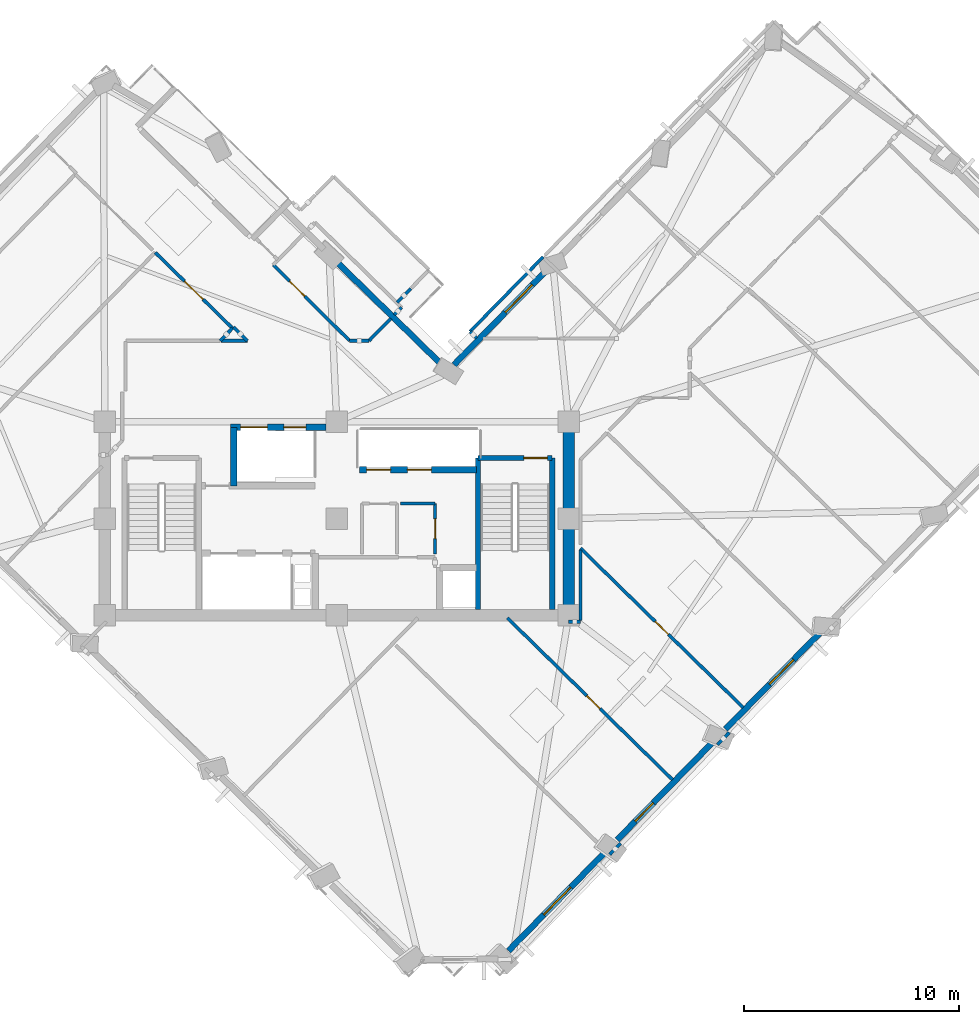
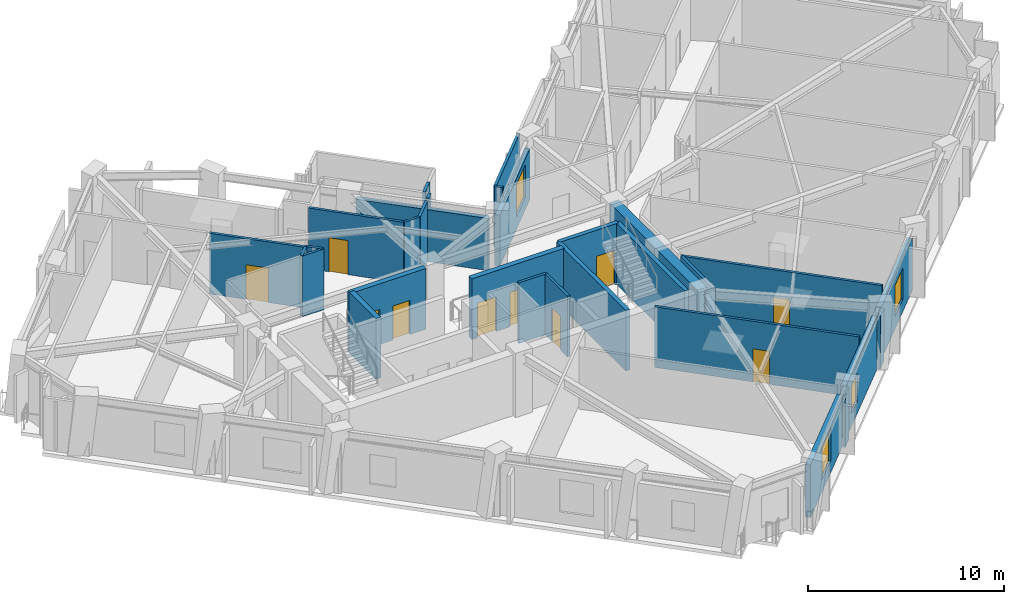
# One storey, part 5 of 12: 31 walls, 10 doors, 4 windows, 14 openings.
"""IFC4 building model written with IfcOpenShell, lengths in metres."""

from ifc_helpers import new_model, si_unit, direction, frame, frame_2d, origin, place, context, subcontext, project, spatial, rectangle, extrude, material, layer, layer_set, type_object, element, fill, save


model = new_model("IFC4")

# Units and contexts
model_context = context("Model", 3, precision=1e-05, world=origin(), true_north=direction((0.0, 1.0)))
body_context = subcontext(model_context, "Body", "Model", "MODEL_VIEW")
ifc_project = project(units=[si_unit("LENGTHUNIT", "METRE"), si_unit("AREAUNIT", "SQUARE_METRE"), si_unit("VOLUMEUNIT", "CUBIC_METRE"), si_unit("PLANEANGLEUNIT", "RADIAN"), si_unit("MASSUNIT", "GRAM", prefix="KILO")], contexts=[model_context])

# Site, building, storey
site_placement = place(None, origin())
site = spatial("IfcSite", under=ifc_project, at=site_placement, CompositionType="ELEMENT")
building_placement = place(site_placement, origin())
building = spatial("IfcBuilding", under=site, at=building_placement, Name="Gaonmaruhae Medical Tower", CompositionType="ELEMENT")
storey_placement = place(building_placement, frame((0.0, 0.0, 219.199951171875)))
storey = spatial("IfcBuildingStorey", under=building, at=storey_placement, Name="L52", CompositionType="ELEMENT", Elevation=219.199951171875)

# Wall
ifc_material_1 = material(Name="Concrete C50/60", Category="concrete")
ifc_layer_1 = layer(ifc_material_1, 0.550048828125)
ifc_layer_set_1 = layer_set([ifc_layer_1], Name="Concrete C50/60")
wall_type_1 = type_object("IfcWallType", Name="CW-550 Mid-High Core Shear Wall", PredefinedType="SHEAR", material=ifc_layer_set_1)
wall_1_placement = place(storey_placement, frame((35.60009765625, 7.800048828125, 0.0), z_axis=(0.0, 0.0, 1.0), x_axis=(0.0, 1.0, 0.0)))
element("IfcWall", 1, at=wall_1_placement, inside=storey, type_object=wall_type_1, Name="L52 Core Shear Wall CSW-E1", PredefinedType="SHEAR", context=body_context, shape_type="SweptSolid", body=[
    extrude(rectangle(XDim=9.0, YDim=0.550048828125, at=frame_2d((4.5, 0.0))), origin(), (0.0, 0.0, 1.0), 3.780029296875),
])

# Wall, opening, window
ifc_material_2 = material(Name="Precast concrete C45/55", Category="concrete")
ifc_layer_2 = layer(ifc_material_2, 0.280029296875)
ifc_layer_set_2 = layer_set([ifc_layer_2], Name="Precast concrete C45/55")
wall_type_2 = type_object("IfcWallType", Name="EW-280 Upper Precast Masonry-Frame Facade Wall", PredefinedType="SOLIDWALL", material=ifc_layer_set_2)
wall_2_placement = place(storey_placement, frame((37.33251953125, -3.189453125, 0.0), z_axis=(0.0, 0.0, 1.0), x_axis=(-0.699670040147, -0.714466118805, 0.0)))
wall_2 = element("IfcWall", 2, at=wall_2_placement, inside=storey, type_object=wall_type_2, Name="L52 Precast Masonry-Frame Wall S01-S02", PredefinedType="SOLIDWALL", context=body_context, shape_type="SweptSolid", body=[
    extrude(rectangle(XDim=6.484619140625, YDim=0.280029296875, at=frame_2d((3.2421875, 0.0))), origin(), (0.0, 0.0, 1.0), 3.26513671875),
])
opening_1_placement = place(wall_2_placement, frame((2.333984375, 0.0, 0.75)))
opening_1 = element("IfcOpeningElement", 3, at=opening_1_placement, cuts=wall_2, Name="Opening WN-04", PredefinedType="OPENING", context=body_context, shape_type="SweptSolid", body=[
    extrude(rectangle(XDim=1.800048828125, YDim=2.050048828125, at=frame_2d((0.89990234375, 1.02490234375))), frame((0.0, 0.14990234375, 0.0), z_axis=(0.0, -1.0, 0.0), x_axis=(1.0, 0.0, 0.0)), (0.0, 0.0, 1.0), 0.300048828125),
])
ifc_material_3 = material(Name="Anodised aluminium and Low-E double glazing", Category="aluminium")
window_type_1 = type_object("IfcWindowType", Name="WN-04 Clinic & Consult Punched Window 1800x2050", PartitioningType="SINGLE_PANEL", PredefinedType="WINDOW", material=ifc_material_3)
window_1_placement = place(opening_1_placement, origin())
window_1 = element("IfcWindow", 4, at=window_1_placement, inside=storey, type_object=window_type_1, Name="L52 Modular Facade Window S01", OverallHeight=2.050048828125, OverallWidth=1.800048828125, PartitioningType="SINGLE_PANEL", PredefinedType="WINDOW", context=body_context, shape_type="SweptSolid", body=[
    extrude(rectangle(XDim=1.800048828125, YDim=2.050048828125, at=frame_2d((0.89990234375, 1.02490234375))), frame((0.0, 0.030029296875, 0.0), z_axis=(0.0, -1.0, 0.0), x_axis=(1.0, 0.0, 0.0)), (0.0, 0.0, 1.0), 0.06005859375),
])
fill(opening_1, window_1)

wall_3_placement = place(storey_placement, frame((42.357666015625, 1.94189453125, 0.0), z_axis=(0.0, 0.0, 1.0), x_axis=(-0.699673993546, -0.714462247257, 0.0)))
wall_3 = element("IfcWall", 5, at=wall_3_placement, inside=storey, type_object=wall_type_2, Name="L52 Precast Masonry-Frame Wall S02-S03", PredefinedType="SOLIDWALL", context=body_context, shape_type="SweptSolid", body=[
    extrude(rectangle(XDim=6.4384765625, YDim=0.280029296875, at=frame_2d((3.21923828125, 0.0))), origin(), (0.0, 0.0, 1.0), 3.26513671875),
])
opening_2_placement = place(wall_3_placement, frame((4.03271484375, 0.0, 0.75)))
opening_2 = element("IfcOpeningElement", 6, at=opening_2_placement, cuts=wall_3, Name="Opening WN-05", PredefinedType="OPENING", context=body_context, shape_type="SweptSolid", body=[
    extrude(rectangle(XDim=1.199951171875, YDim=1.75, at=frame_2d((0.60009765625, 0.875))), frame((0.0, 0.14990234375, 0.0), z_axis=(0.0, -1.0, 0.0), x_axis=(1.0, 0.0, 0.0)), (0.0, 0.0, 1.0), 0.300048828125),
])
window_type_2 = type_object("IfcWindowType", Name="WN-05 Support & Staff Punched Window 1200x1750", PartitioningType="SINGLE_PANEL", PredefinedType="WINDOW", material=ifc_material_3)
window_2_placement = place(opening_2_placement, origin())
window_2 = element("IfcWindow", 7, at=window_2_placement, inside=storey, type_object=window_type_2, Name="L52 Modular Facade Window S02", OverallHeight=1.75, OverallWidth=1.199951171875, PartitioningType="SINGLE_PANEL", PredefinedType="WINDOW", context=body_context, shape_type="SweptSolid", body=[
    extrude(rectangle(XDim=1.199951171875, YDim=1.75, at=frame_2d((0.60009765625, 0.875))), frame((0.0, 0.030029296875, 0.0), z_axis=(0.0, -1.0, 0.0), x_axis=(1.0, 0.0, 0.0)), (0.0, 0.0, 1.0), 0.06005859375),
])
fill(opening_2, window_2)

wall_4_placement = place(storey_placement, frame((47.389404296875, 7.080322265625, 0.0), z_axis=(0.0, 0.0, 1.0), x_axis=(-0.699664064336, -0.714471970812, 0.0)))
wall_4 = element("IfcWall", 8, at=wall_4_placement, inside=storey, type_object=wall_type_2, Name="L52 Precast Masonry-Frame Wall S03-S04", PredefinedType="SOLIDWALL", context=body_context, shape_type="SweptSolid", body=[
    extrude(rectangle(XDim=6.41357421875, YDim=0.280029296875, at=frame_2d((3.206787109375, 0.0))), origin(), (0.0, 0.0, 1.0), 3.26513671875),
])
opening_3_placement = place(wall_4_placement, frame((1.892578125, 0.0, 0.75)))
opening_3 = element("IfcOpeningElement", 9, at=opening_3_placement, cuts=wall_4, Name="Opening WN-01", PredefinedType="OPENING", context=body_context, shape_type="SweptSolid", body=[
    extrude(rectangle(XDim=1.60009765625, YDim=1.949951171875, at=frame_2d((0.800048828125, 0.97509765625))), frame((0.0, 0.14990234375, 0.0), z_axis=(0.0, -1.0, 0.0), x_axis=(1.0, 0.0, 0.0)), (0.0, 0.0, 1.0), 0.300048828125),
])
window_type_3 = type_object("IfcWindowType", Name="WN-01 Ward Punched Acoustic Window 1600x1950", PartitioningType="SINGLE_PANEL", PredefinedType="WINDOW", material=ifc_material_3)
window_3_placement = place(opening_3_placement, origin())
window_3 = element("IfcWindow", 10, at=window_3_placement, inside=storey, type_object=window_type_3, Name="L52 Modular Facade Window S03", OverallHeight=1.949951171875, OverallWidth=1.60009765625, PartitioningType="SINGLE_PANEL", PredefinedType="WINDOW", context=body_context, shape_type="SweptSolid", body=[
    extrude(rectangle(XDim=1.60009765625, YDim=1.949951171875, at=frame_2d((0.800048828125, 0.97509765625))), frame((0.0, 0.030029296875, 0.0), z_axis=(0.0, -1.0, 0.0), x_axis=(1.0, 0.0, 0.0)), (0.0, 0.0, 1.0), 0.06005859375),
])
fill(opening_3, window_3)

wall_5_placement = place(storey_placement, frame((30.265380859375, 19.46533203125, 0.0), z_axis=(0.0, 0.0, 1.0), x_axis=(0.699674545586, 0.714461706643, 0.0)))
wall_5 = element("IfcWall", 11, at=wall_5_placement, inside=storey, type_object=wall_type_2, Name="L52 Precast Masonry-Frame Wall EN02-KN01", PredefinedType="SOLIDWALL", context=body_context, shape_type="SweptSolid", body=[
    extrude(rectangle(XDim=6.158447265625, YDim=0.280029296875, at=frame_2d((3.0791015625, 0.0))), origin(), (0.0, 0.0, 1.0), 3.1650390625),
])
opening_4_placement = place(wall_5_placement, frame((3.4033203125, 0.0, 0.75)))
opening_4 = element("IfcOpeningElement", 12, at=opening_4_placement, cuts=wall_5, Name="Opening WN-04", PredefinedType="OPENING", context=body_context, shape_type="SweptSolid", body=[
    extrude(rectangle(XDim=1.800048828125, YDim=2.050048828125, at=frame_2d((0.89990234375, 1.02490234375))), frame((0.0, 0.14990234375, 0.0), z_axis=(0.0, -1.0, 0.0), x_axis=(1.0, 0.0, 0.0)), (0.0, 0.0, 1.0), 0.300048828125),
])
window_4_placement = place(opening_4_placement, origin())
window_4 = element("IfcWindow", 13, at=window_4_placement, inside=storey, type_object=window_type_1, Name="L52 Modular Facade Window EN02", OverallHeight=2.050048828125, OverallWidth=1.800048828125, PartitioningType="SINGLE_PANEL", PredefinedType="WINDOW", context=body_context, shape_type="SweptSolid", body=[
    extrude(rectangle(XDim=1.800048828125, YDim=2.050048828125, at=frame_2d((0.89990234375, 1.02490234375))), frame((0.0, 0.030029296875, 0.0), z_axis=(0.0, -1.0, 0.0), x_axis=(1.0, 0.0, 0.0)), (0.0, 0.0, 1.0), 0.06005859375),
])
fill(opening_4, window_4)

# Walls
wall_6_placement = place(storey_placement, frame((24.76513671875, 24.283935546875, 0.0), z_axis=(0.0, 0.0, 1.0), x_axis=(0.714488866676, -0.699646810466, 0.0)))
element("IfcWall", 14, at=wall_6_placement, inside=storey, type_object=wall_type_2, Name="L52 Precast Masonry-Frame Wall KN01-NE01", PredefinedType="SOLIDWALL", context=body_context, shape_type="SweptSolid", body=[
    extrude(rectangle(XDim=6.9580078125, YDim=0.280029296875, at=frame_2d((3.47900390625, 0.0))), origin(), (0.0, 0.0, 1.0), 3.2451171875),
])
ifc_material_4 = material(Name="Gypsum board partition", Category="gypsum")
ifc_layer_3 = layer(ifc_material_4, 0.14990234375)
ifc_layer_set_3 = layer_set([ifc_layer_3], Name="Gypsum board partition")
wall_type_3 = type_object("IfcWallType", Name="PW-150 Rated Clinical Corridor Partition", PredefinedType="PARTITIONING", material=ifc_layer_set_3)
wall_7_placement = place(storey_placement, frame((27.760009765625, 13.0, 0.0), z_axis=(0.0, 0.0, 1.0), x_axis=(1.0, 0.0, 0.0)))
element("IfcWall", 15, at=wall_7_placement, inside=storey, type_object=wall_type_3, Name="L52 Interior Partition L52-CS2-6", PredefinedType="PARTITIONING", context=body_context, shape_type="SweptSolid", body=[
    extrude(rectangle(XDim=1.619873046875, YDim=0.14990234375, at=frame_2d((0.81005859375, 0.0))), origin(), (0.0, 0.0, 1.0), 3.780029296875),
])

# Wall, opening, door
wall_8_placement = place(storey_placement, frame((29.3798828125, 13.0, 0.0), z_axis=(0.0, 0.0, 1.0), x_axis=(0.0, -1.0, 0.0)))
wall_8 = element("IfcWall", 16, at=wall_8_placement, inside=storey, type_object=wall_type_3, Name="L52 Interior Partition L52-CS2-7", PredefinedType="PARTITIONING", context=body_context, shape_type="SweptSolid", body=[
    extrude(rectangle(XDim=2.340087890625, YDim=0.14990234375, at=frame_2d((1.169921875, 0.0))), origin(), (0.0, 0.0, 1.0), 3.780029296875),
])
opening_5_placement = place(wall_8_placement, frame((0.7099609375, 0.0, 0.0)))
opening_5 = element("IfcOpeningElement", 17, at=opening_5_placement, cuts=wall_8, Name="Opening UD-01", PredefinedType="OPENING", context=body_context, shape_type="SweptSolid", body=[
    extrude(rectangle(XDim=0.919921875, YDim=2.10009765625, at=frame_2d((0.4599609375, 1.050048828125))), frame((0.0, 0.0849609375, 0.0), z_axis=(0.0, -1.0, 0.0), x_axis=(1.0, 0.0, 0.0)), (0.0, 0.0, 1.0), 0.169921875),
])
ifc_material_5 = material(Name="Powder-coated steel utility door", Category="steel")
door_type_1 = type_object("IfcDoorType", Name="UD-01 Toilet, Utility & Housekeeping Door 920x2100", OperationType="NOTDEFINED", PredefinedType="DOOR", material=ifc_material_5)
door_1_placement = place(opening_5_placement, origin())
door_1 = element("IfcDoor", 18, at=door_1_placement, inside=storey, type_object=door_type_1, Name="L52 Biomedical Telemetry Closet Door", OperationType="SINGLE_SWING_RIGHT", OverallHeight=2.10009765625, OverallWidth=0.919921875, PredefinedType="DOOR", context=body_context, shape_type="SweptSolid", body=[
    extrude(rectangle(XDim=0.919921875, YDim=2.10009765625, at=frame_2d((0.4599609375, 1.050048828125))), frame((0.0, 0.02490234375, 0.0), z_axis=(0.0, -1.0, 0.0), x_axis=(1.0, 0.0, 0.0)), (0.0, 0.0, 1.0), 0.050048828125),
])
fill(opening_5, door_1)

# Wall
wall_9_placement = place(storey_placement, frame((38.01708984375, -2.819091796875, 0.0), z_axis=(0.0, 0.0, 1.0), x_axis=(-0.699731204765, -0.714406215733, 0.0)))
element("IfcWall", 19, at=wall_9_placement, inside=storey, type_object=wall_type_3, Name="L52 Interior Partition L52-SUP03-8", PredefinedType="PARTITIONING", context=body_context, shape_type="SweptSolid", body=[
    extrude(rectangle(XDim=0.73193359375, YDim=0.14990234375, at=frame_2d((0.365966796875, 0.0))), origin(), (0.0, 0.0, 1.0), 3.26513671875),
])

# Wall, opening, door
wall_10_placement = place(storey_placement, frame((32.742919921875, 7.675048828125, 0.0), z_axis=(0.0, 0.0, 1.0), x_axis=(0.714416186627, -0.699721024613, 0.0)))
wall_10 = element("IfcWall", 20, at=wall_10_placement, inside=storey, type_object=wall_type_3, Name="L52 Interior Partition L52-SUP03-11", PredefinedType="PARTITIONING", context=body_context, shape_type="SweptSolid", body=[
    extrude(rectangle(XDim=10.765625, YDim=0.14990234375, at=frame_2d((5.3828125, 0.0))), origin(), (0.0, 0.0, 1.0), 3.780029296875),
])
opening_6_placement = place(wall_10_placement, frame((5.17626953125, 0.0, 0.0)))
opening_6 = element("IfcOpeningElement", 21, at=opening_6_placement, cuts=wall_10, Name="Opening AD-01", PredefinedType="OPENING", context=body_context, shape_type="SweptSolid", body=[
    extrude(rectangle(XDim=0.860107421875, YDim=2.06005859375, at=frame_2d((0.43017578125, 1.030029296875))), frame((0.0, 0.0849609375, 0.0), z_axis=(0.0, -1.0, 0.0), x_axis=(1.0, 0.0, 0.0)), (0.0, 0.0, 1.0), 0.169921875),
])
ifc_material_6 = material(Name="Powder-coated steel access door", Category="steel")
door_type_2 = type_object("IfcDoorType", Name="AD-01 Riser & Closet Access Fire Door 860x2060", OperationType="NOTDEFINED", PredefinedType="DOOR", material=ifc_material_6)
door_2_placement = place(opening_6_placement, origin())
door_2 = element("IfcDoor", 22, at=door_2_placement, inside=storey, type_object=door_type_2, Name="L52 Clinical Biomedical Charting Office Sliding Door", OperationType="SLIDING_TO_LEFT", OverallHeight=2.06005859375, OverallWidth=0.860107421875, PredefinedType="DOOR", context=body_context, shape_type="SweptSolid", body=[
    extrude(rectangle(XDim=0.860107421875, YDim=2.06005859375, at=frame_2d((0.43017578125, 1.030029296875))), frame((0.0, 0.02490234375, 0.0), z_axis=(0.0, -1.0, 0.0), x_axis=(1.0, 0.0, 0.0)), (0.0, 0.0, 1.0), 0.050048828125),
])
fill(opening_6, door_2)

wall_11_placement = place(storey_placement, frame((36.14990234375, 10.9169921875, 0.0), z_axis=(0.0, 0.0, 1.0), x_axis=(0.71447324437, -0.699662763822, 0.0)))
wall_11 = element("IfcWall", 23, at=wall_11_placement, inside=storey, type_object=wall_type_3, Name="L52 Interior Partition L52-SUP04-12", PredefinedType="PARTITIONING", context=body_context, shape_type="SweptSolid", body=[
    extrude(rectangle(XDim=10.599365234375, YDim=0.14990234375, at=frame_2d((5.2998046875, 0.0))), origin(), (0.0, 0.0, 1.0), 3.780029296875),
])
opening_7_placement = place(wall_11_placement, frame((4.86962890625, 0.0, 0.0)))
opening_7 = element("IfcOpeningElement", 24, at=opening_7_placement, cuts=wall_11, Name="Opening AD-01", PredefinedType="OPENING", context=body_context, shape_type="SweptSolid", body=[
    extrude(rectangle(XDim=0.860107421875, YDim=2.06005859375, at=frame_2d((0.43017578125, 1.030029296875))), frame((0.0, 0.0849609375, 0.0), z_axis=(0.0, -1.0, 0.0), x_axis=(1.0, 0.0, 0.0)), (0.0, 0.0, 1.0), 0.169921875),
])
door_3_placement = place(opening_7_placement, origin())
door_3 = element("IfcDoor", 25, at=door_3_placement, inside=storey, type_object=door_type_2, Name="L52 Clinical Biomedical Charting Office Sliding Door", OperationType="SLIDING_TO_LEFT", OverallHeight=2.06005859375, OverallWidth=0.860107421875, PredefinedType="DOOR", context=body_context, shape_type="SweptSolid", body=[
    extrude(rectangle(XDim=0.860107421875, YDim=2.06005859375, at=frame_2d((0.43017578125, 1.030029296875))), frame((0.0, 0.02490234375, 0.0), z_axis=(0.0, -1.0, 0.0), x_axis=(1.0, 0.0, 0.0)), (0.0, 0.0, 1.0), 0.050048828125),
])
fill(opening_7, door_3)

# Walls
wall_12_placement = place(storey_placement, frame((43.06689453125, 2.3369140625, 0.0), z_axis=(0.0, 0.0, 1.0), x_axis=(-0.700014966986, -0.714128171966, 0.0)))
element("IfcWall", 26, at=wall_12_placement, inside=storey, type_object=wall_type_3, Name="L52 Interior Partition L52-SUP04-13", PredefinedType="PARTITIONING", context=body_context, shape_type="SweptSolid", body=[
    extrude(rectangle(XDim=0.778564453125, YDim=0.14990234375, at=frame_2d((0.38916015625, 0.0))), origin(), (0.0, 0.0, 1.0), 3.26513671875),
])
wall_13_placement = place(storey_placement, frame((35.60009765625, 7.5, 0.0), z_axis=(0.0, 0.0, 1.0), x_axis=(1.0, 0.0, 0.0)))
element("IfcWall", 27, at=wall_13_placement, inside=storey, type_object=wall_type_3, Name="L52 Interior Partition L52-SUP04-14", PredefinedType="PARTITIONING", context=body_context, shape_type="SweptSolid", body=[
    extrude(rectangle(XDim=0.5498046875, YDim=0.14990234375, at=frame_2d((0.27490234375, 0.0))), origin(), (0.0, 0.0, 1.0), 3.780029296875),
])
wall_14_placement = place(storey_placement, frame((36.14990234375, 7.550048828125, 0.0), z_axis=(0.0, 0.0, 1.0), x_axis=(0.0, 1.0, 0.0)))
element("IfcWall", 28, at=wall_14_placement, inside=storey, type_object=wall_type_3, Name="L52 Interior Partition L52-SUP04-15", PredefinedType="PARTITIONING", context=body_context, shape_type="SweptSolid", body=[
    extrude(rectangle(XDim=3.296875, YDim=0.14990234375, at=frame_2d((1.6484375, 0.0))), origin(), (0.0, 0.0, 1.0), 3.780029296875),
])

# Wall, opening, door
wall_15_placement = place(storey_placement, frame((16.346923828125, 24.68994140625, 0.0), z_axis=(0.0, 0.0, 1.0), x_axis=(0.714527579213, -0.699607274508, 0.0)))
wall_15 = element("IfcWall", 29, at=wall_15_placement, inside=storey, type_object=wall_type_3, Name="L52 Interior Partition L52-WOF13-48", PredefinedType="PARTITIONING", context=body_context, shape_type="SweptSolid", body=[
    extrude(rectangle(XDim=5.039794921875, YDim=0.14990234375, at=frame_2d((2.52001953125, 0.0))), origin(), (0.0, 0.0, 1.0), 3.780029296875),
])
opening_8_placement = place(wall_15_placement, frame((1.919921875, 0.0, 0.0)))
opening_8 = element("IfcOpeningElement", 30, at=opening_8_placement, cuts=wall_15, Name="Opening CD-02", PredefinedType="OPENING", context=body_context, shape_type="SweptSolid", body=[
    extrude(rectangle(XDim=1.199951171875, YDim=2.14990234375, at=frame_2d((0.60009765625, 1.074951171875))), frame((0.0, 0.0849609375, 0.0), z_axis=(0.0, -1.0, 0.0), x_axis=(1.0, 0.0, 0.0)), (0.0, 0.0, 1.0), 0.169921875),
])
ifc_material_7 = material(Name="Antimicrobial laminate timber fire door", Category="wood")
door_type_3 = type_object("IfcDoorType", Name="CD-02 Clinical Treatment & Procedure Door 1200x2150", OperationType="NOTDEFINED", PredefinedType="DOOR", material=ifc_material_7)
door_4_placement = place(opening_8_placement, origin())
door_4 = element("IfcDoor", 31, at=door_4_placement, inside=storey, type_object=door_type_3, Name="L52 Ward Physician Reporting Office Door", OperationType="SINGLE_SWING_LEFT", OverallHeight=2.14990234375, OverallWidth=1.199951171875, PredefinedType="DOOR", context=body_context, shape_type="SweptSolid", body=[
    extrude(rectangle(XDim=1.199951171875, YDim=2.14990234375, at=frame_2d((0.60009765625, 1.074951171875))), frame((0.0, 0.02490234375, 0.0), z_axis=(0.0, -1.0, 0.0), x_axis=(1.0, 0.0, 0.0)), (0.0, 0.0, 1.0), 0.050048828125),
])
fill(opening_8, door_4)

# Walls
wall_16_placement = place(storey_placement, frame((19.947998046875, 21.1640625, 0.0), z_axis=(0.0, 0.0, 1.0), x_axis=(-0.699751841197, -0.714386002622, 0.0)))
element("IfcWall", 32, at=wall_16_placement, inside=storey, type_object=wall_type_3, Name="L52 Interior Partition L52-WOF13-49", PredefinedType="PARTITIONING", context=body_context, shape_type="SweptSolid", body=[
    extrude(rectangle(XDim=0.8173828125, YDim=0.14990234375, at=frame_2d((0.40869140625, 0.0))), origin(), (0.0, 0.0, 1.0), 3.780029296875),
])
wall_17_placement = place(storey_placement, frame((31.006103515625, 21.008056640625, 0.0), z_axis=(0.0, 0.0, 1.0), x_axis=(0.699655259221, 0.71448059333, 0.0)))
element("IfcWall", 33, at=wall_17_placement, inside=storey, type_object=wall_type_3, Name="L52 Interior Partition L52-IE02-57", PredefinedType="PARTITIONING", context=body_context, shape_type="SweptSolid", body=[
    extrude(rectangle(XDim=4.85791015625, YDim=0.14990234375, at=frame_2d((2.428955078125, 0.0))), origin(), (0.0, 0.0, 1.0), 3.780029296875),
])
wall_18_placement = place(storey_placement, frame((31.31689453125, 20.7041015625, 0.0), z_axis=(0.0, 0.0, 1.0), x_axis=(-0.714925563688, 0.699200570928, 0.0)))
element("IfcWall", 34, at=wall_18_placement, inside=storey, type_object=wall_type_3, Name="L52 Interior Partition L52-IE02-60", PredefinedType="PARTITIONING", context=body_context, shape_type="SweptSolid", body=[
    extrude(rectangle(XDim=0.434814453125, YDim=0.14990234375, at=frame_2d((0.21728515625, 0.0))), origin(), (0.0, 0.0, 1.0), 3.780029296875),
])
wall_19_placement = place(storey_placement, frame((27.822021484375, 22.1298828125, 0.0), z_axis=(0.0, 0.0, 1.0), x_axis=(-0.700015982854, -0.714127176173, 0.0)))
element("IfcWall", 35, at=wall_19_placement, inside=storey, type_object=wall_type_3, Name="L52 Interior Partition L52-IN01-76", PredefinedType="PARTITIONING", context=body_context, shape_type="SweptSolid", body=[
    extrude(rectangle(XDim=0.484375, YDim=0.14990234375, at=frame_2d((0.2421875, 0.0))), origin(), (0.0, 0.0, 1.0), 3.780029296875),
])
wall_20_placement = place(storey_placement, frame((27.322021484375, 21.618896484375, 0.0), z_axis=(0.0, 0.0, 1.0), x_axis=(-0.69993714437, -0.714204448272, 0.0)))
element("IfcWall", 36, at=wall_20_placement, inside=storey, type_object=wall_type_3, Name="L52 Interior Partition L52-IN01-77", PredefinedType="PARTITIONING", context=body_context, shape_type="SweptSolid", body=[
    extrude(rectangle(XDim=1.45458984375, YDim=0.14990234375, at=frame_2d((0.727294921875, 0.0))), origin(), (0.0, 0.0, 1.0), 3.780029296875),
])
wall_21_placement = place(storey_placement, frame((26.303955078125, 20.580078125, 0.0), z_axis=(0.0, 0.0, 1.0), x_axis=(-1.0, 0.0, 0.0)))
element("IfcWall", 37, at=wall_21_placement, inside=storey, type_object=wall_type_3, Name="L52 Interior Partition L52-IN01-78", PredefinedType="PARTITIONING", context=body_context, shape_type="SweptSolid", body=[
    extrude(rectangle(XDim=0.906982421875, YDim=0.14990234375, at=frame_2d((0.45361328125, 0.0))), origin(), (0.0, 0.0, 1.0), 3.780029296875),
])

# Wall, opening, door
wall_22_placement = place(storey_placement, frame((25.39697265625, 20.580078125, 0.0), z_axis=(0.0, 0.0, 1.0), x_axis=(-0.709613494775, 0.704591149557, 0.0)))
wall_22 = element("IfcWall", 38, at=wall_22_placement, inside=storey, type_object=wall_type_3, Name="L52 Interior Partition L52-IN01-79", PredefinedType="PARTITIONING", context=body_context, shape_type="SweptSolid", body=[
    extrude(rectangle(XDim=5.0068359375, YDim=0.14990234375, at=frame_2d((2.50341796875, 0.0))), origin(), (0.0, 0.0, 1.0), 3.780029296875),
])
opening_9_placement = place(wall_22_placement, frame((2.93408203125, 0.0, 0.0)))
opening_9 = element("IfcOpeningElement", 39, at=opening_9_placement, cuts=wall_22, Name="Opening CD-01", PredefinedType="OPENING", context=body_context, shape_type="SweptSolid", body=[
    extrude(rectangle(XDim=1.0, YDim=2.1201171875, at=frame_2d((0.5, 1.06005859375))), frame((0.0, 0.0849609375, 0.0), z_axis=(0.0, -1.0, 0.0), x_axis=(1.0, 0.0, 0.0)), (0.0, 0.0, 1.0), 0.169921875),
])
door_type_4 = type_object("IfcDoorType", Name="CD-01 Consultation & Physician Office Door 1000x2120", OperationType="NOTDEFINED", PredefinedType="DOOR", material=ifc_material_7)
door_5_placement = place(opening_9_placement, origin())
door_5 = element("IfcDoor", 40, at=door_5_placement, inside=storey, type_object=door_type_4, Name="L52 Physician Consultation Office Door", OperationType="SINGLE_SWING_LEFT", OverallHeight=2.1201171875, OverallWidth=1.0, PredefinedType="DOOR", context=body_context, shape_type="SweptSolid", body=[
    extrude(rectangle(XDim=1.0, YDim=2.1201171875, at=frame_2d((0.5, 1.06005859375))), frame((0.0, 0.02490234375, 0.0), z_axis=(0.0, -1.0, 0.0), x_axis=(1.0, 0.0, 0.0)), (0.0, 0.0, 1.0), 0.050048828125),
])
fill(opening_9, door_5)

# Walls
wall_23_placement = place(storey_placement, frame((20.64404296875, 20.580078125, 0.0), z_axis=(0.0, 0.0, 1.0), x_axis=(-1.0, 0.0, 0.0)))
element("IfcWall", 41, at=wall_23_placement, inside=storey, type_object=wall_type_3, Name="L52 Interior Partition L52-RM02-87", PredefinedType="PARTITIONING", context=body_context, shape_type="SweptSolid", body=[
    extrude(rectangle(XDim=1.239990234375, YDim=0.14990234375, at=frame_2d((0.6201171875, 0.0))), origin(), (0.0, 0.0, 1.0), 3.780029296875),
])
wall_24_placement = place(storey_placement, frame((19.9970703125, 21.214111328125, 0.0), z_axis=(0.0, 0.0, 1.0), x_axis=(0.714212839143, -0.69992858236, 0.0)))
element("IfcWall", 42, at=wall_24_placement, inside=storey, type_object=wall_type_3, Name="L52 Interior Partition L52-RM02-91", PredefinedType="PARTITIONING", context=body_context, shape_type="SweptSolid", body=[
    extrude(rectangle(XDim=0.90576171875, YDim=0.14990234375, at=frame_2d((0.452880859375, 0.0))), origin(), (0.0, 0.0, 1.0), 3.780029296875),
])
wall_25_placement = place(storey_placement, frame((28.243896484375, 23.00390625, 0.0), z_axis=(0.0, 0.0, 1.0), x_axis=(-0.699327327342, -0.714801573328, 0.0)))
element("IfcWall", 43, at=wall_25_placement, inside=storey, type_object=wall_type_3, Name="L52 Interior Partition L52-RM03-96", PredefinedType="PARTITIONING", context=body_context, shape_type="SweptSolid", body=[
    extrude(rectangle(XDim=0.8994140625, YDim=0.14990234375, at=frame_2d((0.44970703125, 0.0))), origin(), (0.0, 0.0, 1.0), 3.780029296875),
])

# Wall, opening, door
ifc_layer_4 = layer(ifc_material_1, 0.239990234375)
ifc_layer_set_4 = layer_set([ifc_layer_4], Name="Concrete C50/60")
wall_type_4 = type_object("IfcWallType", Name="SW-240 Dogleg Stair Tight Shaft Wall", PredefinedType="SOLIDWALL", material=ifc_layer_set_4)
wall_26_placement = place(storey_placement, frame((31.3701171875, 15.1201171875, 0.0), z_axis=(0.0, 0.0, 1.0), x_axis=(1.0, 0.0, 0.0)))
wall_26 = element("IfcWall", 44, at=wall_26_placement, inside=storey, type_object=wall_type_4, Name="L52 ST-02 Stair Shaft Wall SHW-ST-02-N", PredefinedType="SOLIDWALL", context=body_context, shape_type="SweptSolid", body=[
    extrude(rectangle(XDim=3.4599609375, YDim=0.239990234375, at=frame_2d((1.72998046875, 0.0))), origin(), (0.0, 0.0, 1.0), 3.780029296875),
])
opening_10_placement = place(wall_26_placement, frame((2.139892578125, 0.0, 0.0)))
opening_10 = element("IfcOpeningElement", 45, at=opening_10_placement, cuts=wall_26, Name="Opening FD-01", PredefinedType="OPENING", context=body_context, shape_type="SweptSolid", body=[
    extrude(rectangle(XDim=1.10009765625, YDim=2.14990234375, at=frame_2d((0.550048828125, 1.074951171875))), frame((0.0, 0.1298828125, 0.0), z_axis=(0.0, -1.0, 0.0), x_axis=(1.0, 0.0, 0.0)), (0.0, 0.0, 1.0), 0.260009765625),
])
ifc_material_8 = material(Name="Powder-coated steel fire door", Category="steel")
door_type_5 = type_object("IfcDoorType", Name="FD-01 Escape Stair Protected Fire Door 1100x2150", OperationType="NOTDEFINED", PredefinedType="DOOR", material=ifc_material_8)
door_6_placement = place(opening_10_placement, origin())
door_6 = element("IfcDoor", 46, at=door_6_placement, inside=storey, type_object=door_type_5, Name="L52 ST-02 Protected Escape Stair Door", OperationType="SINGLE_SWING_LEFT", OverallHeight=2.14990234375, OverallWidth=1.10009765625, PredefinedType="DOOR", context=body_context, shape_type="SweptSolid", body=[
    extrude(rectangle(XDim=1.10009765625, YDim=2.14990234375, at=frame_2d((0.550048828125, 1.074951171875))), frame((0.0, 0.02490234375, 0.0), z_axis=(0.0, -1.0, 0.0), x_axis=(1.0, 0.0, 0.0)), (0.0, 0.0, 1.0), 0.050048828125),
])
fill(opening_10, door_6)

# Walls
for number, where, z_axis, x_axis, name in (
    (47, (34.830078125, 15.1201171875, 0.0), (0.0, 0.0, 1.0), (0.0, -1.0, 0.0), "L52 ST-02 Stair Shaft Wall SHW-ST-02-E"),
    (48, (31.3701171875, 8.074951171875, 0.0), (0.0, 0.0, 1.0), (0.0, 1.0, 0.0), "L52 ST-02 Stair Shaft Wall SHW-ST-02-W"),
):
    element("IfcWall", number, at=place(storey_placement, frame(where, z_axis=z_axis, x_axis=x_axis)), inside=storey, type_object=wall_type_4, Name=name, PredefinedType="SOLIDWALL", context=body_context, shape_type="SweptSolid", body=[
        extrude(rectangle(XDim=7.045166015625, YDim=0.239990234375, at=frame_2d((3.5224609375, 0.0))), origin(), (0.0, 0.0, 1.0), 3.780029296875),
    ])

# Wall, openings, doors
ifc_layer_5 = layer(ifc_material_1, 0.300048828125)
ifc_layer_set_5 = layer_set([ifc_layer_5], Name="Concrete C50/60")
wall_type_5 = type_object("IfcWallType", Name="SW-300 Stair & Lift Hoistway Shaft Wall", PredefinedType="SOLIDWALL", material=ifc_layer_set_5)
wall_27_placement = place(storey_placement, frame((19.85009765625, 16.550048828125, 0.0), z_axis=(0.0, 0.0, 1.0), x_axis=(1.0, 0.0, 0.0)))
wall_27 = element("IfcWall", 49, at=wall_27_placement, inside=storey, type_object=wall_type_5, Name="L52 Core Shear Wall CSW-NB", PredefinedType="SOLIDWALL", context=body_context, shape_type="SweptSolid", body=[
    extrude(rectangle(XDim=4.449951171875, YDim=0.300048828125, at=frame_2d((2.22509765625, 0.0))), origin(), (0.0, 0.0, 1.0), 3.780029296875),
])
opening_11_placement = place(wall_27_placement, frame((0.47509765625, 0.0, 0.0)))
opening_11 = element("IfcOpeningElement", 50, at=opening_11_placement, cuts=wall_27, Name="Opening LD-F1", PredefinedType="OPENING", context=body_context, shape_type="SweptSolid", body=[
    extrude(rectangle(XDim=1.25, YDim=2.179931640625, at=frame_2d((0.625, 1.08984375))), frame((0.0, 0.16015625, 0.0), z_axis=(0.0, -1.0, 0.0), x_axis=(1.0, 0.0, 0.0)), (0.0, 0.0, 1.0), 0.320068359375),
])
opening_12_placement = place(wall_27_placement, frame((2.489990234375, 0.0, 0.0)))
opening_12 = element("IfcOpeningElement", 51, at=opening_12_placement, cuts=wall_27, Name="Opening LD-S1", PredefinedType="OPENING", context=body_context, shape_type="SweptSolid", body=[
    extrude(rectangle(XDim=1.02001953125, YDim=2.1201171875, at=frame_2d((0.510009765625, 1.06005859375))), frame((0.0, 0.16015625, 0.0), z_axis=(0.0, -1.0, 0.0), x_axis=(1.0, 0.0, 0.0)), (0.0, 0.0, 1.0), 0.320068359375),
])
ifc_material_9 = material(Name="Brushed stainless steel 316L landing door", Category="steel")
door_type_6 = type_object("IfcDoorType", Name="LD-F1 Firefighting & Bed Lift Sliding Landing Door 1250x2180", OperationType="NOTDEFINED", PredefinedType="DOOR", material=ifc_material_9)
door_7_placement = place(opening_11_placement, origin())
door_7 = element("IfcDoor", 52, at=door_7_placement, inside=storey, type_object=door_type_6, Name="L52 Service/Bed Lift Landing Door BDL-01", OperationType="DOUBLE_DOOR_SLIDING", OverallHeight=2.179931640625, OverallWidth=1.25, PredefinedType="DOOR", context=body_context, shape_type="SweptSolid", body=[
    extrude(rectangle(XDim=1.25, YDim=2.179931640625, at=frame_2d((0.625, 1.08984375))), frame((0.0, 0.02490234375, 0.0), z_axis=(0.0, -1.0, 0.0), x_axis=(1.0, 0.0, 0.0)), (0.0, 0.0, 1.0), 0.050048828125),
])
fill(opening_11, door_7)
ifc_material_10 = material(Name="Brushed stainless steel 304 landing door", Category="steel")
door_type_7 = type_object("IfcDoorType", Name="LD-S1 Service Lift Sliding Landing Door 1020x2120", OperationType="NOTDEFINED", PredefinedType="DOOR", material=ifc_material_10)
door_8_placement = place(opening_12_placement, origin())
door_8 = element("IfcDoor", 53, at=door_8_placement, inside=storey, type_object=door_type_7, Name="L52 Service/Bed Lift Landing Door SVL-01", OperationType="SLIDING_TO_LEFT", OverallHeight=2.1201171875, OverallWidth=1.02001953125, PredefinedType="DOOR", context=body_context, shape_type="SweptSolid", body=[
    extrude(rectangle(XDim=1.02001953125, YDim=2.1201171875, at=frame_2d((0.510009765625, 1.06005859375))), frame((0.0, 0.02490234375, 0.0), z_axis=(0.0, -1.0, 0.0), x_axis=(1.0, 0.0, 0.0)), (0.0, 0.0, 1.0), 0.050048828125),
])
fill(opening_12, door_8)

# Wall
wall_28_placement = place(storey_placement, frame((20.0, 13.820068359375, 0.0), z_axis=(0.0, 0.0, 1.0), x_axis=(0.0, 1.0, 0.0)))
element("IfcWall", 54, at=wall_28_placement, inside=storey, type_object=wall_type_5, Name="L52 Shaft Enclosure Wall SHW-BDW", PredefinedType="SOLIDWALL", context=body_context, shape_type="SweptSolid", body=[
    extrude(rectangle(XDim=2.72998046875, YDim=0.300048828125, at=frame_2d((1.364990234375, 0.0))), origin(), (0.0, 0.0, 1.0), 3.780029296875),
])

# Wall, openings, doors
wall_29_placement = place(storey_placement, frame((25.85009765625, 14.580078125, 0.0), z_axis=(0.0, 0.0, 1.0), x_axis=(1.0, 0.0, 0.0)))
wall_29 = element("IfcWall", 55, at=wall_29_placement, inside=storey, type_object=wall_type_5, Name="L52 Shaft Enclosure Wall SHW-PLN", PredefinedType="SOLIDWALL", context=body_context, shape_type="SweptSolid", body=[
    extrude(rectangle(XDim=5.449951171875, YDim=0.300048828125, at=frame_2d((2.72509765625, 0.0))), origin(), (0.0, 0.0, 1.0), 3.780029296875),
])
opening_13_placement = place(wall_29_placement, frame((0.340087890625, 0.0, 0.0)))
opening_13 = element("IfcOpeningElement", 56, at=opening_13_placement, cuts=wall_29, Name="Opening LD-P1", PredefinedType="OPENING", context=body_context, shape_type="SweptSolid", body=[
    extrude(rectangle(XDim=1.1201171875, YDim=2.14990234375, at=frame_2d((0.56005859375, 1.074951171875))), frame((0.0, 0.16015625, 0.0), z_axis=(0.0, -1.0, 0.0), x_axis=(1.0, 0.0, 0.0)), (0.0, 0.0, 1.0), 0.320068359375),
])
opening_14_placement = place(wall_29_placement, frame((2.239990234375, 0.0, 0.0)))
opening_14 = element("IfcOpeningElement", 57, at=opening_14_placement, cuts=wall_29, Name="Opening LD-P1", PredefinedType="OPENING", context=body_context, shape_type="SweptSolid", body=[
    extrude(rectangle(XDim=1.1201171875, YDim=2.14990234375, at=frame_2d((0.56005859375, 1.074951171875))), frame((0.0, 0.16015625, 0.0), z_axis=(0.0, -1.0, 0.0), x_axis=(1.0, 0.0, 0.0)), (0.0, 0.0, 1.0), 0.320068359375),
])
door_type_8 = type_object("IfcDoorType", Name="LD-P1 Passenger Lift Sliding Landing Door 1120x2150", OperationType="NOTDEFINED", PredefinedType="DOOR", material=ifc_material_10)
door_9_placement = place(opening_13_placement, origin())
door_9 = element("IfcDoor", 58, at=door_9_placement, inside=storey, type_object=door_type_8, Name="L52 Passenger Lift Landing Door PL-M1", OperationType="DOUBLE_DOOR_SLIDING", OverallHeight=2.14990234375, OverallWidth=1.1201171875, PredefinedType="DOOR", context=body_context, shape_type="SweptSolid", body=[
    extrude(rectangle(XDim=1.1201171875, YDim=2.14990234375, at=frame_2d((0.56005859375, 1.074951171875))), frame((0.0, 0.02490234375, 0.0), z_axis=(0.0, -1.0, 0.0), x_axis=(1.0, 0.0, 0.0)), (0.0, 0.0, 1.0), 0.050048828125),
])
fill(opening_13, door_9)
door_10_placement = place(opening_14_placement, origin())
door_10 = element("IfcDoor", 59, at=door_10_placement, inside=storey, type_object=door_type_8, Name="L52 Passenger Lift Landing Door PL-M2", OperationType="DOUBLE_DOOR_SLIDING", OverallHeight=2.14990234375, OverallWidth=1.1201171875, PredefinedType="DOOR", context=body_context, shape_type="SweptSolid", body=[
    extrude(rectangle(XDim=1.1201171875, YDim=2.14990234375, at=frame_2d((0.56005859375, 1.074951171875))), frame((0.0, 0.02490234375, 0.0), z_axis=(0.0, -1.0, 0.0), x_axis=(1.0, 0.0, 0.0)), (0.0, 0.0, 1.0), 0.050048828125),
])
fill(opening_14, door_10)

save(model, "model.ifc")
